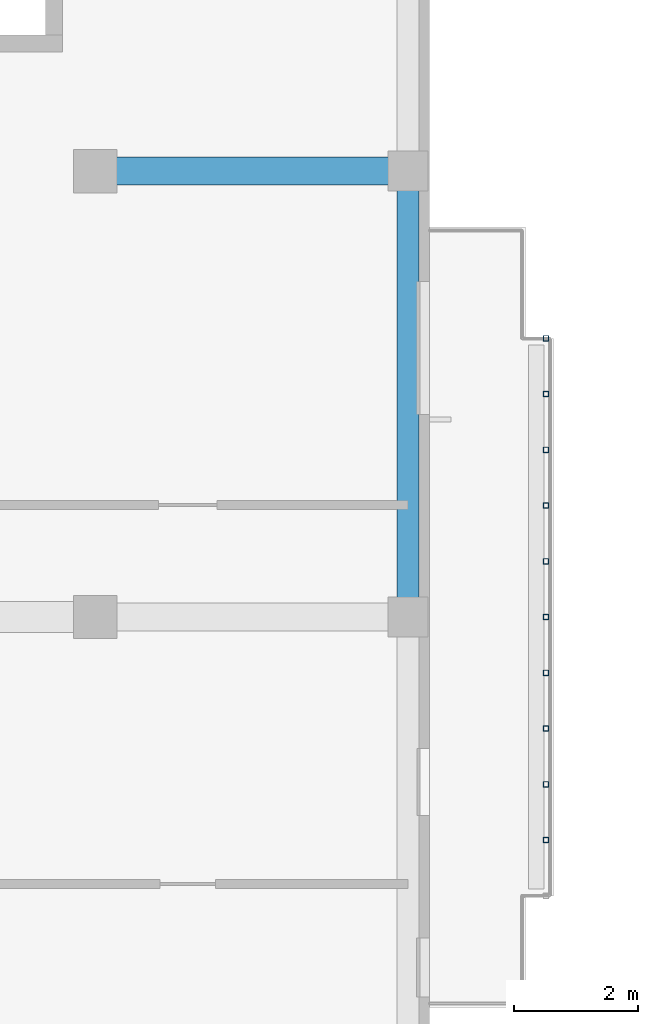
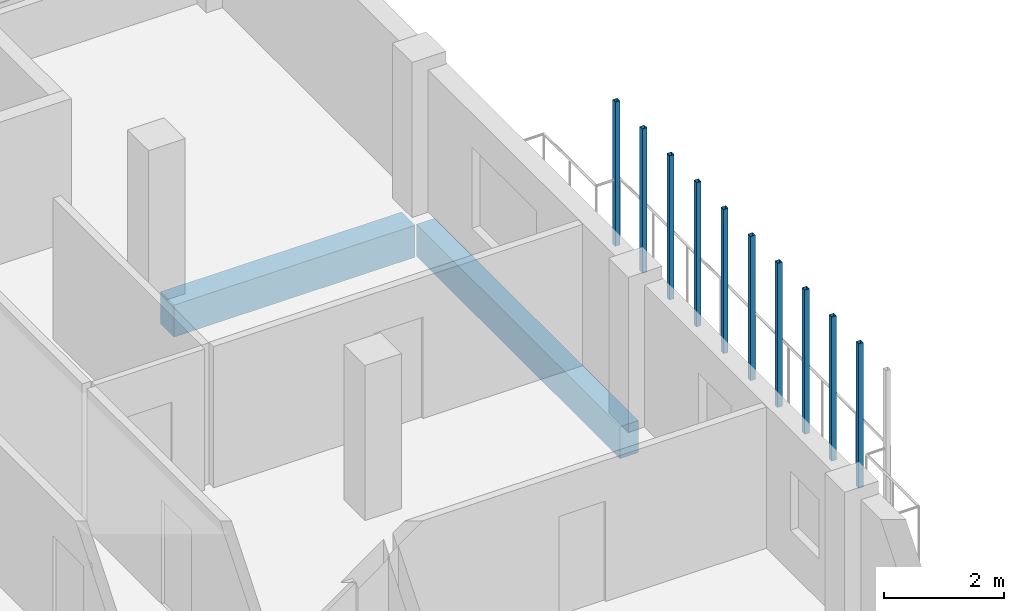
# One storey, part 6 of 51: 10 members, 2 beams.
"""IFC4 building model written with IfcOpenShell, lengths in metres."""

from ifc_helpers import new_model, si_unit, derived_unit, direction, frame, origin, origin_2d, place, context, subcontext, project, spatial, rectangle, hollow_rectangle, extrude, material, material_profile, profile_set, type_object, element, save


model = new_model("IFC4")

# Units and contexts
model_context = context("Model", 3, precision=1e-05, world=origin(), true_north=direction((0.0, 1.0)))
body_context = subcontext(model_context, "Body", "Model", "MODEL_VIEW")
ifc_project = project(units=[si_unit("LENGTHUNIT", "METRE"), si_unit("AREAUNIT", "SQUARE_METRE"), si_unit("VOLUMEUNIT", "CUBIC_METRE"), si_unit("PLANEANGLEUNIT", "RADIAN"), si_unit("MASSUNIT", "GRAM", prefix="KILO"), derived_unit("THERMALTRANSMITTANCEUNIT", [(si_unit("MASSUNIT", "GRAM", prefix="KILO"), 1), (si_unit("TIMEUNIT", "SECOND"), -3), (si_unit("THERMODYNAMICTEMPERATUREUNIT", "KELVIN"), -1)])], contexts=[model_context])

# Site, building, storey
site_placement = place(None, origin())
site = spatial("IfcSite", under=ifc_project, at=site_placement, CompositionType="ELEMENT")
building_placement = place(site_placement, origin())
building = spatial("IfcBuilding", under=site, at=building_placement, Name="Ochrekiln Boulevard Commons", CompositionType="ELEMENT")
storey_placement = place(building_placement, frame((0.0, 0.0, 15.22509765625)))
storey = spatial("IfcBuildingStorey", under=building, at=storey_placement, Name="L04", CompositionType="ELEMENT", Elevation=15.22509765625)

# Beam
ifc_material_1 = material(Name="Concrete C35/45", Category="concrete")
ifc_material_profile_1 = material_profile(ifc_material_1, rectangle(XDim=0.449951171875, YDim=0.64990234375, at=origin_2d()), Name="RC-BM-450x650")
ifc_profile_set_1 = profile_set([ifc_material_profile_1], Name="Concrete C35/45")
beam_type_1 = type_object("IfcBeamType", Name="BM-RC-450x650", PredefinedType="BEAM", material=ifc_profile_set_1)
beam_1_placement = place(storey_placement, frame((16.409912109375, 43.199951171875, -0.585205078125), z_axis=(1.0, 0.0, 0.0), x_axis=(0.0, 1.0, 0.0)))
element("IfcBeam", 1, at=beam_1_placement, inside=storey, type_object=beam_type_1, Name="Block D L04 Beam B-4565 X19", PredefinedType="BEAM", context=body_context, shape_type="SweptSolid", body=[
    extrude(rectangle(XDim=0.449951171875, YDim=0.64990234375, at=origin_2d()), origin(), (0.0, 0.0, 1.0), 4.630126953125),
])

# Members
ifc_material_2 = material(Name="Steel A500 Grade C", Category="steel")
ifc_material_profile_2 = material_profile(ifc_material_2, hollow_rectangle(XDim=0.090087890625, YDim=0.090087890625, WallThickness=0.00634765625, at=origin_2d()), Name="HSS90X90X6.4")
ifc_profile_set_2 = profile_set([ifc_material_profile_2], Name="Steel A500 Grade C")
member_type = type_object("IfcMemberType", Name="MEM-PST-HSS90", PredefinedType="POST", material=ifc_profile_set_2)
for number, where, z_axis, x_axis, name in (
    (2, (23.47998046875, 32.39990234375, 0.0), (0.0, 0.0, 1.0), (1.0, 0.0, 0.0), "Block D L04 Slim Vertical Balcony Post (365)"),
    (3, (23.47998046875, 33.300048828125, 0.0), (0.0, 0.0, 1.0), (1.0, 0.0, 0.0), "Block D L04 Slim Vertical Balcony Post (366)"),
    (4, (23.47998046875, 34.199951171875, 0.0), (0.0, 0.0, 1.0), (1.0, 0.0, 0.0), "Block D L04 Slim Vertical Balcony Post (367)"),
    (5, (23.47998046875, 35.10009765625, 0.0), (0.0, 0.0, 1.0), (1.0, 0.0, 0.0), "Block D L04 Slim Vertical Balcony Post (368)"),
    (6, (23.47998046875, 36.0, 0.0), (0.0, 0.0, 1.0), (1.0, 0.0, 0.0), "Block D L04 Slim Vertical Balcony Post (369)"),
    (7, (23.47998046875, 36.89990234375, 0.0), (0.0, 0.0, 1.0), (1.0, 0.0, 0.0), "Block D L04 Slim Vertical Balcony Post (370)"),
    (8, (23.47998046875, 37.800048828125, 0.0), (0.0, 0.0, 1.0), (1.0, 0.0, 0.0), "Block D L04 Slim Vertical Balcony Post (371)"),
    (9, (23.47998046875, 38.699951171875, 0.0), (0.0, 0.0, 1.0), (1.0, 0.0, 0.0), "Block D L04 Slim Vertical Balcony Post (372)"),
    (10, (23.47998046875, 39.60009765625, 0.0), (0.0, 0.0, 1.0), (1.0, 0.0, 0.0), "Block D L04 Slim Vertical Balcony Post (373)"),
    (11, (23.47998046875, 40.5, 0.0), (0.0, 0.0, 1.0), (1.0, 0.0, 0.0), "Block D L04 Slim Vertical Balcony Post (374)"),
):
    element("IfcMember", number, at=place(storey_placement, frame(where, z_axis=z_axis, x_axis=x_axis)), inside=storey, type_object=member_type, Name=name, PredefinedType="POST", context=body_context, shape_type="SweptSolid", body=[
        extrude(hollow_rectangle(XDim=0.090087890625, YDim=0.090087890625, WallThickness=0.00634765625, at=origin_2d()), origin(), (0.0, 0.0, 1.0), 2.929931640625),
    ])

# Beam
ifc_material_3 = material(Name="Concrete C40/50", Category="concrete")
ifc_material_profile_3 = material_profile(ifc_material_3, rectangle(XDim=0.35009765625, YDim=0.64990234375, at=origin_2d()), Name="RC-SPN-350x650")
ifc_profile_set_3 = profile_set([ifc_material_profile_3], Name="Concrete C40/50")
beam_type_2 = type_object("IfcBeamType", Name="SPN-RC-350x650", PredefinedType="SPANDREL", material=ifc_profile_set_3)
beam_2_placement = place(storey_placement, frame((21.25, 36.2099609375, -0.585205078125), z_axis=(0.0, 1.0, 0.0), x_axis=(-1.0, 0.0, 0.0)))
element("IfcBeam", 12, at=beam_2_placement, inside=storey, type_object=beam_type_2, Name="Block D L04 Beam SP-3565 Y35", PredefinedType="SPANDREL", context=body_context, shape_type="SweptSolid", body=[
    extrude(rectangle(XDim=0.35009765625, YDim=0.64990234375, at=origin_2d()), origin(), (0.0, 0.0, 1.0), 6.780029296875),
])

save(model, "model.ifc")
